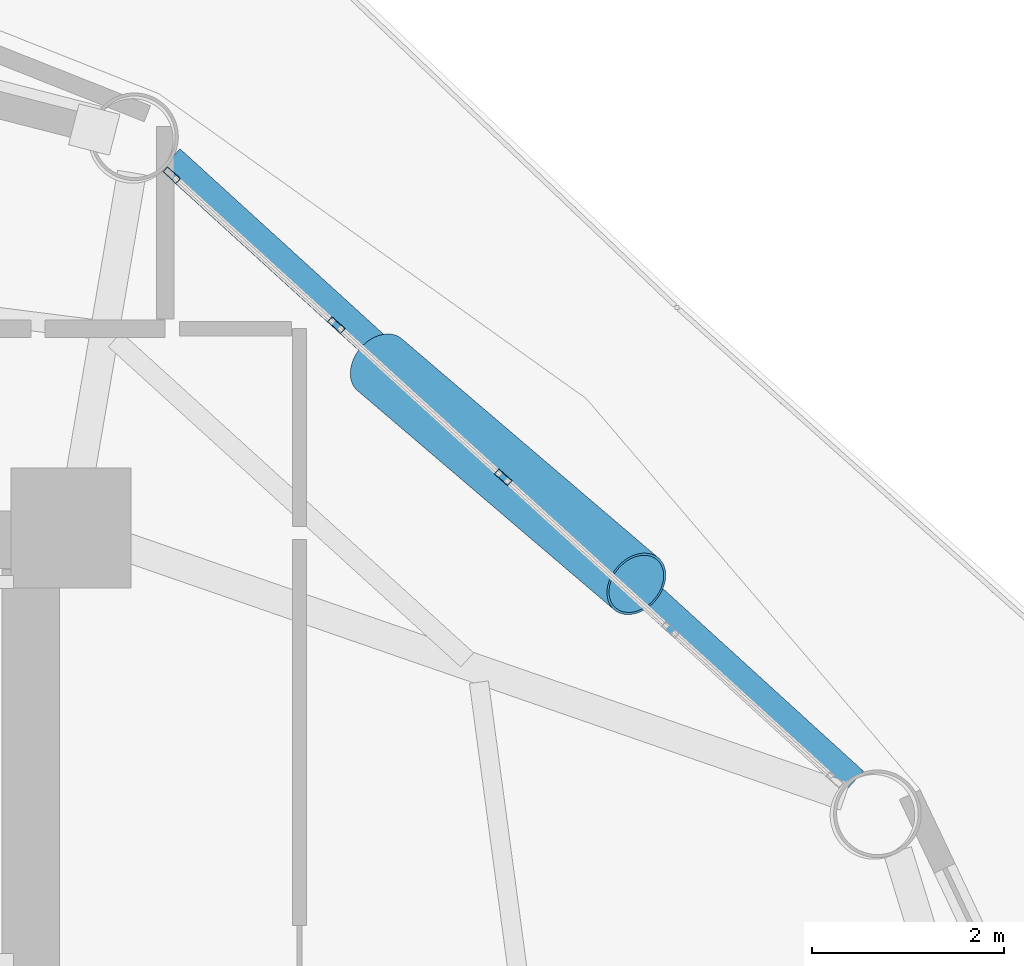
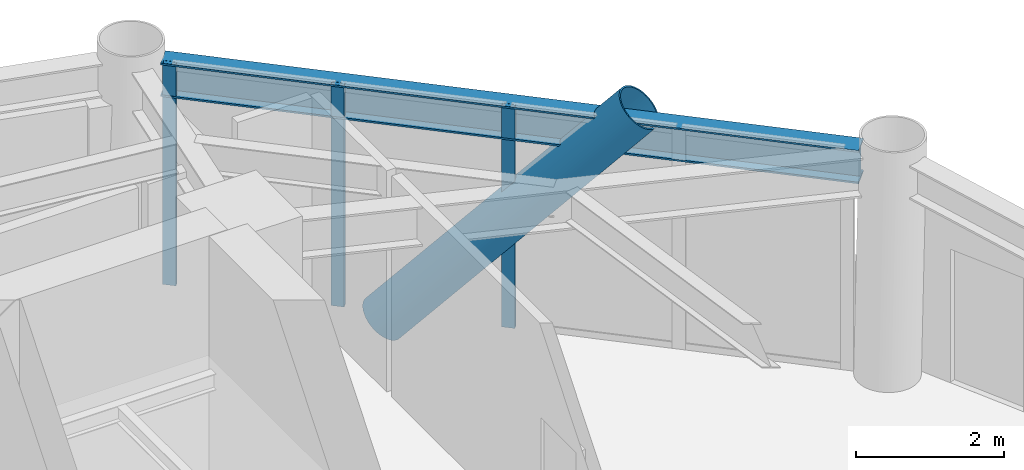
# One storey, part 18 of 25: 4 members, 1 beam, 1 element without a shape of its own.
"""IFC4 building model written with IfcOpenShell, lengths in metres."""

from ifc_helpers import new_model, si_unit, direction, frame, origin, origin_2d, place, context, subcontext, project, spatial, hollow_rectangle, hollow_circle, i_section, extrude, material, layer, layer_set, material_profile, profile_set, type_object, element, aggregate, save


model = new_model("IFC4")

# Units and contexts
model_context = context("Model", 3, precision=1e-05, world=origin(), true_north=direction((0.0, 1.0)))
body_context = subcontext(model_context, "Body", "Model", "MODEL_VIEW")
ifc_project = project(units=[si_unit("LENGTHUNIT", "METRE"), si_unit("AREAUNIT", "SQUARE_METRE"), si_unit("VOLUMEUNIT", "CUBIC_METRE"), si_unit("PLANEANGLEUNIT", "RADIAN"), si_unit("MASSUNIT", "GRAM", prefix="KILO")], contexts=[model_context])

# Site, building, storey
site_placement = place(None, origin())
site = spatial("IfcSite", under=ifc_project, at=site_placement, CompositionType="ELEMENT")
building_placement = place(site_placement, origin())
building = spatial("IfcBuilding", under=site, at=building_placement, Name="Varnakorn Sky Granary", CompositionType="ELEMENT")
storey_placement = place(building_placement, frame((0.0, 0.0, 54.89990234375)))
storey = spatial("IfcBuildingStorey", under=building, at=storey_placement, Name="L13", CompositionType="ELEMENT", Elevation=54.89990234375)

# Beam
ifc_material_1 = material(Name="Steel S355JR", Category="steel")
ifc_material_profile_1 = material_profile(ifc_material_1, i_section(OverallWidth=0.300048828125, OverallDepth=0.550048828125, WebThickness=0.014892578125, FlangeThickness=0.029052734375, at=origin_2d()), Name="HE 550 B")
ifc_profile_set_1 = profile_set([ifc_material_profile_1], Name="Steel S355JR")
beam_type = type_object("IfcBeamType", Name="BM-SPD-Z1", PredefinedType="SPANDREL", material=ifc_profile_set_1)
beam_placement = place(storey_placement, frame((16.578857421875, 9.97509765625, 3.364990234375), z_axis=(-0.739343732642, 0.673328185213, 0.0), x_axis=(-0.673328185213, -0.739343732642, 0.0)))
element("IfcBeam", 1, at=beam_placement, inside=storey, type_object=beam_type, Name="Perimeter Spandrel Ring Beam RB02 L13", PredefinedType="SPANDREL", context=body_context, shape_type="SweptSolid", body=[
    extrude(i_section(OverallWidth=0.300048828125, OverallDepth=0.550048828125, WebThickness=0.014892578125, FlangeThickness=0.029052734375, at=origin_2d()), origin(), (0.0, 0.0, 1.0), 9.6376953125),
])

# Curtain wall, members
ifc_material_2 = material(Name="Anodised Bronze Aluminium Alloy 6063-T6", Category="aluminium")
ifc_layer = layer(ifc_material_2, 0.18994140625, Name="Anodised Bronze Aluminium Alloy 6063-T6")
ifc_layer_set = layer_set([ifc_layer], Name="Anodised Bronze Aluminium Alloy 6063-T6")
curtain_wall_type = type_object("IfcCurtainWallType", Name="CW-FRM-1", PredefinedType="USERDEFINED", material=ifc_layer_set)
curtain_wall_placement = place(storey_placement, origin())
curtain_wall = element("IfcCurtainWall", 2, at=curtain_wall_placement, inside=storey, type_object=curtain_wall_type, Name="Unitised Curtain Wall CW3 CW-L13-B02", ObjectType="CURTAIN WALL", PredefinedType="USERDEFINED")
ifc_material_profile_2 = material_profile(ifc_material_2, hollow_rectangle(XDim=0.070068359375, YDim=0.18505859375, WallThickness=0.00390625, at=origin_2d()), Name="ALU MULL 70x185")
ifc_profile_set_2 = profile_set([ifc_material_profile_2], Name="Anodised Bronze Aluminium Alloy 6063-T6")
member_type_1 = type_object("IfcMemberType", Name="CW-FRM-1-MULL", PredefinedType="MULLION", material=ifc_profile_set_2)
member_1_placement = place(storey_placement, frame((9.467529296875, 16.30078125, 0.0), z_axis=(0.0, 0.0, 1.0), x_axis=(0.673686552194, 0.739017205072, 0.0)))
member_1 = element("IfcMember", 3, at=member_1_placement, type_object=member_type_1, Name="CW3 mullion 1", PredefinedType="MULLION", context=body_context, shape_type="SweptSolid", body=[
    extrude(hollow_rectangle(XDim=0.070068359375, YDim=0.18505859375, WallThickness=0.00390625, at=origin_2d()), origin(), (0.0, 0.0, 1.0), 3.64013671875),
])
member_2_placement = place(storey_placement, frame((11.18310546875, 14.73681640625, 0.0), z_axis=(0.0, 0.0, 1.0), x_axis=(0.673686552194, 0.739017205072, 0.0)))
member_2 = element("IfcMember", 4, at=member_2_placement, type_object=member_type_1, Name="CW3 mullion 2", PredefinedType="MULLION", context=body_context, shape_type="SweptSolid", body=[
    extrude(hollow_rectangle(XDim=0.070068359375, YDim=0.18505859375, WallThickness=0.00390625, at=origin_2d()), origin(), (0.0, 0.0, 1.0), 3.64013671875),
])
member_3_placement = place(storey_placement, frame((12.924560546875, 13.1494140625, 0.0), z_axis=(0.0, 0.0, 1.0), x_axis=(0.673686552194, 0.739017205072, 0.0)))
member_3 = element("IfcMember", 5, at=member_3_placement, type_object=member_type_1, Name="CW3 mullion 3", PredefinedType="MULLION", context=body_context, shape_type="SweptSolid", body=[
    extrude(hollow_rectangle(XDim=0.070068359375, YDim=0.18505859375, WallThickness=0.00390625, at=origin_2d()), origin(), (0.0, 0.0, 1.0), 3.64013671875),
])
aggregate(curtain_wall, [member_1, member_2, member_3])

# Member
ifc_material_3 = material(Name="Steel S460M", Category="steel")
ifc_material_profile_3 = material_profile(ifc_material_3, hollow_circle(Radius=0.35546875, WallThickness=0.02490234375, at=origin_2d()), Name="CHS 711x25")
ifc_profile_set_3 = profile_set([ifc_material_profile_3], Name="Steel S460M")
member_type_2 = type_object("IfcMemberType", Name="MB-DIAG-T0", PredefinedType="BRACE", material=ifc_profile_set_3)
member_4_placement = place(storey_placement, frame((11.63623046875, 14.32373046875, -0.1298828125), z_axis=(0.50805962244, -0.433718477176, 0.744153010208), x_axis=(0.649270210956, 0.760557817109, 0.0)))
element("IfcMember", 6, at=member_4_placement, inside=storey, type_object=member_type_2, Name="Perimeter CHS Diagrid Brace DG02 L13", PredefinedType="BRACE", context=body_context, shape_type="SweptSolid", body=[
    extrude(hollow_circle(Radius=0.35546875, WallThickness=0.02490234375, at=origin_2d()), origin(), (0.0, 0.0, 1.0), 5.267578125),
])

save(model, "model.ifc")
